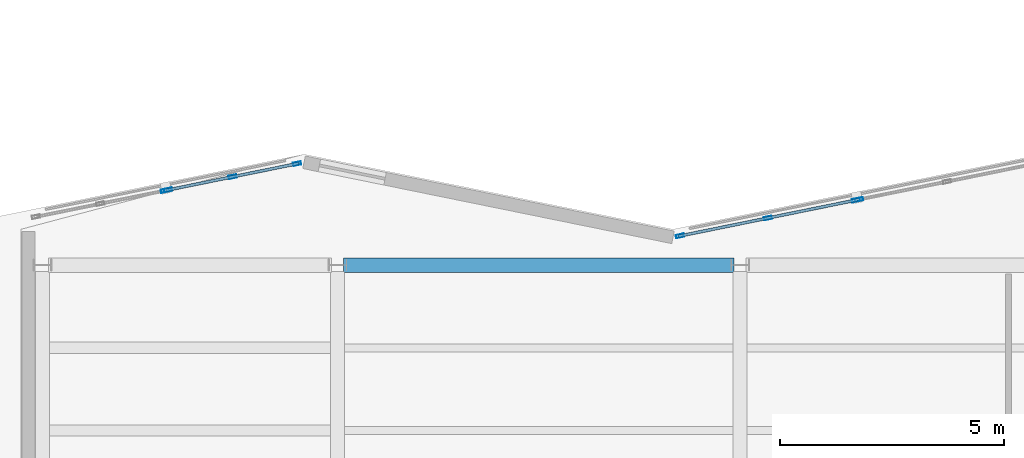
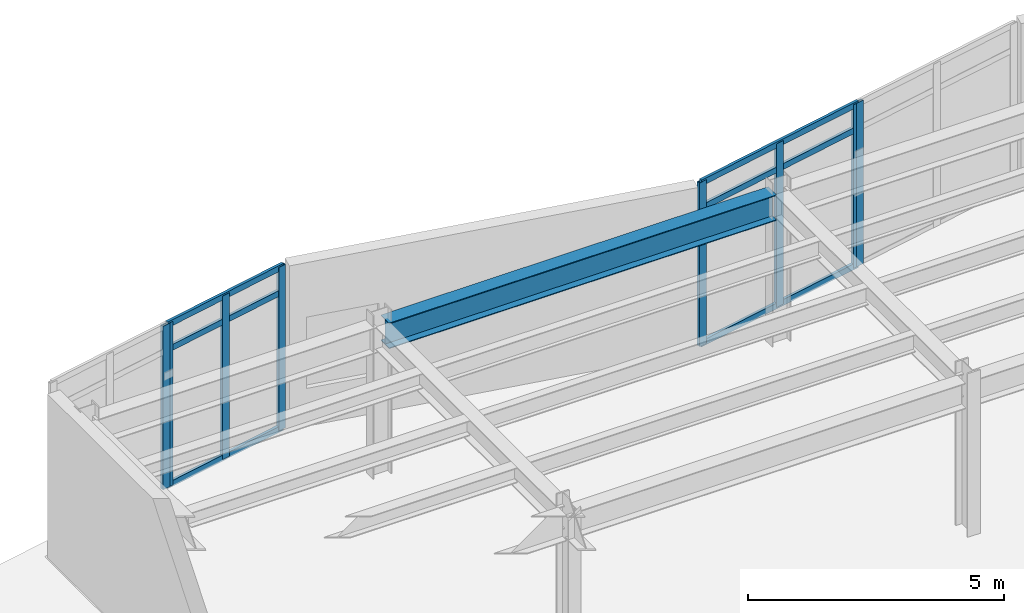
# One storey, part 18 of 59: 14 members, 1 beam, 4 elements without a shape of their own.
"""IFC4 building model written with IfcOpenShell, lengths in metres."""

from ifc_helpers import new_model, si_unit, direction, frame, origin, origin_2d, place, context, subcontext, project, spatial, hollow_rectangle, i_section, extrude, material, layer, layer_set, material_profile, profile_set, type_object, element, aggregate, save


model = new_model("IFC4")

# Units and contexts
model_context = context("Model", 3, precision=1e-05, world=origin(), true_north=direction((0.0, 1.0)))
body_context = subcontext(model_context, "Body", "Model", "MODEL_VIEW")
ifc_project = project(units=[si_unit("LENGTHUNIT", "METRE"), si_unit("AREAUNIT", "SQUARE_METRE"), si_unit("VOLUMEUNIT", "CUBIC_METRE"), si_unit("PLANEANGLEUNIT", "RADIAN"), si_unit("MASSUNIT", "GRAM", prefix="KILO")], contexts=[model_context])

# Site, building, storey
site_placement = place(None, origin())
site = spatial("IfcSite", under=ifc_project, at=site_placement, CompositionType="ELEMENT")
building_placement = place(site_placement, origin())
building = spatial("IfcBuilding", under=site, at=building_placement, Name="Sollismere Congress Hotel", CompositionType="ELEMENT")
storey_placement = place(building_placement, frame((0.0, 0.0, 15.60009765625)))
storey = spatial("IfcBuildingStorey", under=building, at=storey_placement, Name="L03", CompositionType="ELEMENT", Elevation=15.60009765625)

# Beam
ifc_material_1 = material(Name="Steel ASTM A992 Grade 50", Category="steel")
ifc_material_profile_1 = material_profile(ifc_material_1, i_section(OverallWidth=0.324951171875, OverallDepth=0.612060546875, WebThickness=0.0126953125, FlangeThickness=0.01904296875, at=origin_2d()), Name="W24X104")
ifc_profile_set_1 = profile_set([ifc_material_profile_1], Name="Steel ASTM A992 Grade 50")
beam_type = type_object("IfcBeamType", Name="BM-G24", PredefinedType="BEAM", material=ifc_profile_set_1)
beam_placement = place(storey_placement, frame((67.131103515625, 102.39990234375, 3.31884765625), z_axis=(1.0, 0.0, 0.0), x_axis=(0.0, 1.0, 0.0)))
element("IfcBeam", 1, at=beam_placement, inside=storey, type_object=beam_type, Name="Beam BM-L03-2399", PredefinedType="BEAM", context=body_context, shape_type="SweptSolid", body=[
    extrude(i_section(OverallWidth=0.324951171875, OverallDepth=0.612060546875, WebThickness=0.0126953125, FlangeThickness=0.01904296875, at=origin_2d()), origin(), (0.0, 0.0, 1.0), 8.73779296875),
])

# Curtain wall, member
ifc_material_2 = material(Name="Anodized Bronze Curtain Wall & Low-E Triple Glazing", Category="glass")
ifc_layer = layer(ifc_material_2, 0.199951171875, Name="Anodized Bronze Curtain Wall & Low-E Triple Glazing")
ifc_layer_set = layer_set([ifc_layer], Name="Anodized Bronze Curtain Wall & Low-E Triple Glazing")
curtain_wall_type = type_object("IfcCurtainWallType", Name="CW-GLZ36", PredefinedType="USERDEFINED", material=ifc_layer_set)
curtain_wall_1_placement = place(storey_placement, origin())
curtain_wall_1 = element("IfcCurtainWall", 2, at=curtain_wall_1_placement, inside=storey, type_object=curtain_wall_type, Name="Unitised curtain wall CW-L03-105", ObjectType="UNITISED CURTAIN WALL", PredefinedType="USERDEFINED")
ifc_material_3 = material(Name="Anodized Aluminum 6063-T6", Category="aluminium")
ifc_material_profile_2 = material_profile(ifc_material_3, hollow_rectangle(XDim=0.074951171875, YDim=0.179931640625, WallThickness=0.0048828125, at=origin_2d()), Name="ALU180X75X5")
ifc_profile_set_2 = profile_set([ifc_material_profile_2], Name="Anodized Aluminum 6063-T6")
member_type_1 = type_object("IfcMemberType", Name="ML-CW180", PredefinedType="MULLION", material=ifc_profile_set_2)
member_1_placement = place(storey_placement, frame((63.1376953125, 104.065185546875, 0.0), z_axis=(0.0, 0.0, 1.0), x_axis=(-0.199367934417, 0.979924704621, 0.0)))
member_1 = element("IfcMember", 3, at=member_1_placement, type_object=member_type_1, Name="CWL-CW-L03-105-ML03", PredefinedType="MULLION", context=body_context, shape_type="SweptSolid", body=[
    extrude(hollow_rectangle(XDim=0.074951171875, YDim=0.179931640625, WallThickness=0.0048828125, at=origin_2d()), origin(), (0.0, 0.0, 1.0), 3.89990234375),
])
aggregate(curtain_wall_1, [member_1])

# Curtain wall, members
curtain_wall_2_placement = place(storey_placement, origin())
curtain_wall_2 = element("IfcCurtainWall", 4, at=curtain_wall_2_placement, inside=storey, type_object=curtain_wall_type, Name="Unitised curtain wall CW-L03-106", ObjectType="UNITISED CURTAIN WALL", PredefinedType="USERDEFINED")
member_2_placement = place(storey_placement, frame((63.212158203125, 104.08056640625, 0.0), z_axis=(0.0, 0.0, 1.0), x_axis=(-0.199367934417, 0.979924704621, 0.0)))
member_2 = element("IfcMember", 5, at=member_2_placement, type_object=member_type_1, Name="CWL-CW-L03-106-ML01", PredefinedType="MULLION", context=body_context, shape_type="SweptSolid", body=[
    extrude(hollow_rectangle(XDim=0.074951171875, YDim=0.179931640625, WallThickness=0.0048828125, at=origin_2d()), origin(), (0.0, 0.0, 1.0), 3.89990234375),
])
member_3_placement = place(storey_placement, frame((64.65380859375, 104.373779296875, 0.0), z_axis=(0.0, 0.0, 1.0), x_axis=(-0.199367934417, 0.979924704621, 0.0)))
member_3 = element("IfcMember", 6, at=member_3_placement, type_object=member_type_1, Name="CWL-CW-L03-106-ML02", PredefinedType="MULLION", context=body_context, shape_type="SweptSolid", body=[
    extrude(hollow_rectangle(XDim=0.074951171875, YDim=0.179931640625, WallThickness=0.0048828125, at=origin_2d()), origin(), (0.0, 0.0, 1.0), 3.89990234375),
])
member_4_placement = place(storey_placement, frame((66.09521484375, 104.6669921875, 0.0), z_axis=(0.0, 0.0, 1.0), x_axis=(-0.199367934417, 0.979924704621, 0.0)))
member_4 = element("IfcMember", 7, at=member_4_placement, type_object=member_type_1, Name="CWL-CW-L03-106-ML03", PredefinedType="MULLION", context=body_context, shape_type="SweptSolid", body=[
    extrude(hollow_rectangle(XDim=0.074951171875, YDim=0.179931640625, WallThickness=0.0048828125, at=origin_2d()), origin(), (0.0, 0.0, 1.0), 3.89990234375),
])

curtain_wall_3_placement = place(storey_placement, origin())
curtain_wall_3 = element("IfcCurtainWall", 8, at=curtain_wall_3_placement, inside=storey, type_object=curtain_wall_type, Name="Unitised curtain wall CW-L03-107", ObjectType="UNITISED CURTAIN WALL", PredefinedType="USERDEFINED")
member_5_placement = place(storey_placement, frame((74.65478515625, 103.051513671875, 0.0), z_axis=(0.0, 0.0, 1.0), x_axis=(-0.199367934417, 0.979924704621, 0.0)))
member_5 = element("IfcMember", 9, at=member_5_placement, type_object=member_type_1, Name="CWL-CW-L03-107-ML01", PredefinedType="MULLION", context=body_context, shape_type="SweptSolid", body=[
    extrude(hollow_rectangle(XDim=0.074951171875, YDim=0.179931640625, WallThickness=0.0048828125, at=origin_2d()), origin(), (0.0, 0.0, 1.0), 3.89990234375),
])
member_6_placement = place(storey_placement, frame((76.621337890625, 103.45166015625, 0.0), z_axis=(0.0, 0.0, 1.0), x_axis=(-0.199367934417, 0.979924704621, 0.0)))
member_6 = element("IfcMember", 10, at=member_6_placement, type_object=member_type_1, Name="CWL-CW-L03-107-ML02", PredefinedType="MULLION", context=body_context, shape_type="SweptSolid", body=[
    extrude(hollow_rectangle(XDim=0.074951171875, YDim=0.179931640625, WallThickness=0.0048828125, at=origin_2d()), origin(), (0.0, 0.0, 1.0), 3.89990234375),
])
member_7_placement = place(storey_placement, frame((78.587890625, 103.851806640625, 0.0), z_axis=(0.0, 0.0, 1.0), x_axis=(-0.199367934417, 0.979924704621, 0.0)))
member_7 = element("IfcMember", 11, at=member_7_placement, type_object=member_type_1, Name="CWL-CW-L03-107-ML03", PredefinedType="MULLION", context=body_context, shape_type="SweptSolid", body=[
    extrude(hollow_rectangle(XDim=0.074951171875, YDim=0.179931640625, WallThickness=0.0048828125, at=origin_2d()), origin(), (0.0, 0.0, 1.0), 3.89990234375),
])

# Curtain wall, member
curtain_wall_4_placement = place(storey_placement, origin())
curtain_wall_4 = element("IfcCurtainWall", 12, at=curtain_wall_4_placement, inside=storey, type_object=curtain_wall_type, Name="Unitised curtain wall CW-L03-108", ObjectType="UNITISED CURTAIN WALL", PredefinedType="USERDEFINED")
member_8_placement = place(storey_placement, frame((78.662109375, 103.86669921875, 0.0), z_axis=(0.0, 0.0, 1.0), x_axis=(-0.199367934417, 0.979924704621, 0.0)))
member_8 = element("IfcMember", 13, at=member_8_placement, type_object=member_type_1, Name="CWL-CW-L03-108-ML01", PredefinedType="MULLION", context=body_context, shape_type="SweptSolid", body=[
    extrude(hollow_rectangle(XDim=0.074951171875, YDim=0.179931640625, WallThickness=0.0048828125, at=origin_2d()), origin(), (0.0, 0.0, 1.0), 3.89990234375),
])
aggregate(curtain_wall_4, [member_8])

# Member
ifc_material_profile_3 = material_profile(ifc_material_3, hollow_rectangle(XDim=0.06494140625, YDim=0.139892578125, WallThickness=0.00390625, at=origin_2d()), Name="ALU140X65X4")
ifc_profile_set_3 = profile_set([ifc_material_profile_3], Name="Anodized Aluminum 6063-T6")
member_type_2 = type_object("IfcMemberType", Name="TR-CW150", PredefinedType="MEMBER", material=ifc_profile_set_3)
member_9_placement = place(storey_placement, frame((63.175048828125, 104.072998046875, 0.032470703125), z_axis=(0.979931305839, 0.199335485643, 0.0), x_axis=(-0.199335485643, 0.979931305839, 0.0)))
member_9 = element("IfcMember", 14, at=member_9_placement, type_object=member_type_2, Name="CWL-CW-L03-106-TR1", PredefinedType="MEMBER", context=body_context, shape_type="SweptSolid", body=[
    extrude(hollow_rectangle(XDim=0.06494140625, YDim=0.139892578125, WallThickness=0.00390625, at=origin_2d()), origin(), (0.0, 0.0, 1.0), 3.017822265625),
])

member_10_placement = place(storey_placement, frame((63.175048828125, 104.072998046875, 3.27587890625), z_axis=(0.979931305839, 0.199335485643, 0.0), x_axis=(-0.199335485643, 0.979931305839, 0.0)))
member_10 = element("IfcMember", 15, at=member_10_placement, type_object=member_type_2, Name="CWL-CW-L03-106-TR2", PredefinedType="MEMBER", context=body_context, shape_type="SweptSolid", body=[
    extrude(hollow_rectangle(XDim=0.06494140625, YDim=0.139892578125, WallThickness=0.00390625, at=origin_2d()), origin(), (0.0, 0.0, 1.0), 3.017822265625),
])

member_11_placement = place(storey_placement, frame((63.175048828125, 104.072998046875, 3.867431640625), z_axis=(0.979931305839, 0.199335485643, 0.0), x_axis=(-0.199335485643, 0.979931305839, 0.0)))
member_11 = element("IfcMember", 16, at=member_11_placement, type_object=member_type_2, Name="CWL-CW-L03-106-TR3", PredefinedType="MEMBER", context=body_context, shape_type="SweptSolid", body=[
    extrude(hollow_rectangle(XDim=0.06494140625, YDim=0.139892578125, WallThickness=0.00390625, at=origin_2d()), origin(), (0.0, 0.0, 1.0), 3.017822265625),
])

aggregate(curtain_wall_2, [member_2, member_3, member_4, member_9, member_10, member_11])

member_12_placement = place(storey_placement, frame((74.61767578125, 103.0439453125, 0.032470703125), z_axis=(0.979918476409, 0.199398544609, 0.0), x_axis=(-0.199398544609, 0.979918476409, 0.0)))
member_12 = element("IfcMember", 17, at=member_12_placement, type_object=member_type_2, Name="CWL-CW-L03-107-TR1", PredefinedType="MEMBER", context=body_context, shape_type="SweptSolid", body=[
    extrude(hollow_rectangle(XDim=0.06494140625, YDim=0.139892578125, WallThickness=0.00390625, at=origin_2d()), origin(), (0.0, 0.0, 1.0), 4.08935546875),
])

member_13_placement = place(storey_placement, frame((74.61767578125, 103.0439453125, 3.27587890625), z_axis=(0.979918476409, 0.199398544609, 0.0), x_axis=(-0.199398544609, 0.979918476409, 0.0)))
member_13 = element("IfcMember", 18, at=member_13_placement, type_object=member_type_2, Name="CWL-CW-L03-107-TR2", PredefinedType="MEMBER", context=body_context, shape_type="SweptSolid", body=[
    extrude(hollow_rectangle(XDim=0.06494140625, YDim=0.139892578125, WallThickness=0.00390625, at=origin_2d()), origin(), (0.0, 0.0, 1.0), 4.08935546875),
])

member_14_placement = place(storey_placement, frame((74.61767578125, 103.0439453125, 3.867431640625), z_axis=(0.979918476409, 0.199398544609, 0.0), x_axis=(-0.199398544609, 0.979918476409, 0.0)))
member_14 = element("IfcMember", 19, at=member_14_placement, type_object=member_type_2, Name="CWL-CW-L03-107-TR3", PredefinedType="MEMBER", context=body_context, shape_type="SweptSolid", body=[
    extrude(hollow_rectangle(XDim=0.06494140625, YDim=0.139892578125, WallThickness=0.00390625, at=origin_2d()), origin(), (0.0, 0.0, 1.0), 4.08935546875),
])

aggregate(curtain_wall_3, [member_5, member_6, member_7, member_12, member_13, member_14])

save(model, "model.ifc")
